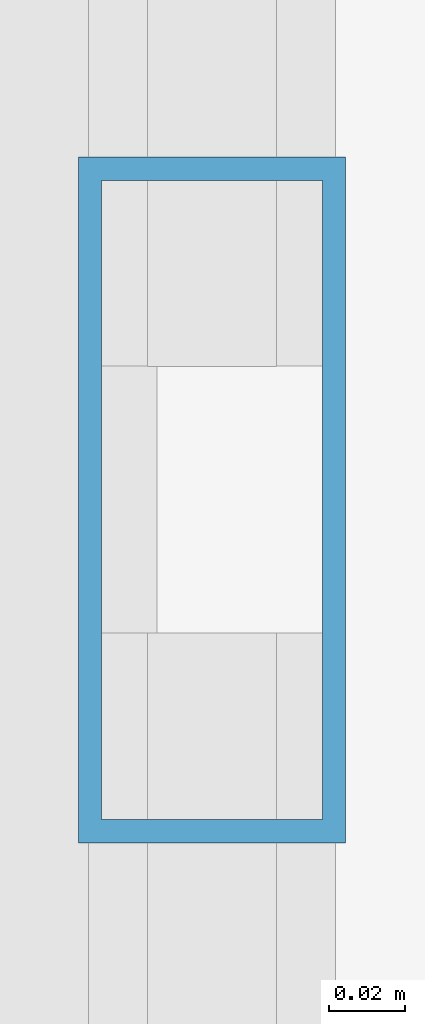
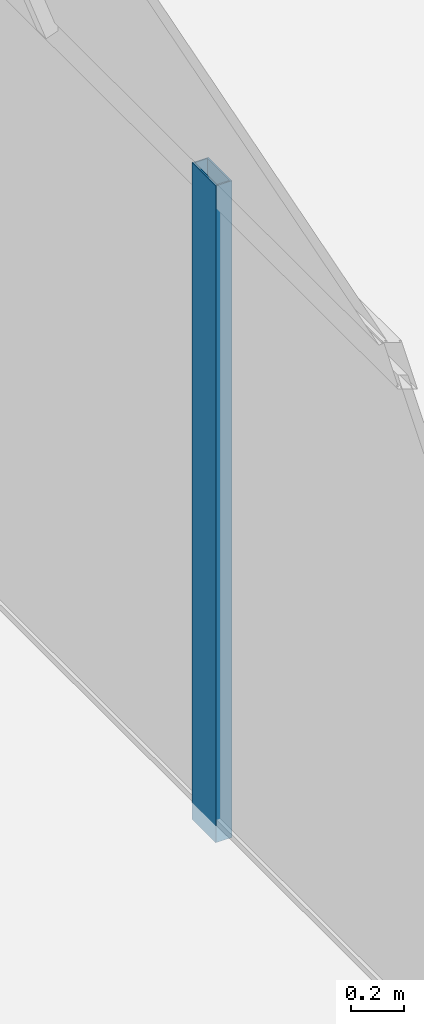
# One storey, part 15 of 32: 1 member, 1 element without a shape of its own.
"""IFC4 building model written with IfcOpenShell, lengths in metres."""

from ifc_helpers import new_model, si_unit, direction, frame, origin, origin_2d, place, context, subcontext, project, spatial, hollow_rectangle, extrude, source, transform, mapped, material, layer, layer_set, material_profile, profile_set, type_object, element, aggregate, save


model = new_model("IFC4")

# Units and contexts
model_context = context("Model", 3, precision=1e-05, world=origin(), true_north=direction((0.0, 1.0)))
body_context = subcontext(model_context, "Body", "Model", "MODEL_VIEW")
ifc_project = project(units=[si_unit("LENGTHUNIT", "METRE"), si_unit("AREAUNIT", "SQUARE_METRE"), si_unit("VOLUMEUNIT", "CUBIC_METRE"), si_unit("PLANEANGLEUNIT", "RADIAN"), si_unit("MASSUNIT", "GRAM", prefix="KILO")], contexts=[model_context])

# Site, building, storey
site_placement = place(None, origin())
site = spatial("IfcSite", under=ifc_project, at=site_placement, CompositionType="ELEMENT")
building_placement = place(site_placement, origin())
building = spatial("IfcBuilding", under=site, at=building_placement, Name="Sumidabori Civic Tower", CompositionType="ELEMENT")
storey_placement = place(building_placement, frame((0.0, 0.0, 298.199951171875)))
storey = spatial("IfcBuildingStorey", under=building, at=storey_placement, Name="RF Roof Crown", CompositionType="ELEMENT", Elevation=298.199951171875)

# Curtain wall, member
ifc_material = material(Name="Anodised Bronze Aluminium AW-6063-T6", Category="aluminium")
ifc_layer = layer(ifc_material, 0.179931640625, Name="Anodised Bronze Aluminium AW-6063-T6")
ifc_layer_set = layer_set([ifc_layer], Name="Anodised Bronze Aluminium AW-6063-T6")
curtain_wall_type = type_object("IfcCurtainWallType", Name="CW-SYS-6", PredefinedType="NOTDEFINED", material=ifc_layer_set)
curtain_wall_placement = place(storey_placement, origin())
curtain_wall = element("IfcCurtainWall", 1, at=curtain_wall_placement, inside=storey, type_object=curtain_wall_type, Name="Glass-Point Crown East Cheek Curtain Wall", PredefinedType="NOTDEFINED")
ifc_material_profile = material_profile(ifc_material, hollow_rectangle(XDim=0.070068359375, YDim=0.179931640625, WallThickness=0.006103515625, at=origin_2d()), Name="ALU MULLION 180x70")
ifc_profile_set = profile_set([ifc_material_profile], Name="Anodised Bronze Aluminium AW-6063-T6")
member_type = type_object("IfcMemberType", Name="CW-MUL-180", PredefinedType="MULLION", material=ifc_profile_set)
shared_shape = source(origin(), body_context, "Body", "SweptSolid", [
    extrude(hollow_rectangle(XDim=0.070068359375, YDim=0.179931640625, WallThickness=0.006103515625, at=origin_2d()), origin(), (0.0, 0.0, 1.0), 3.050048828125),
])
member_placement = place(storey_placement, frame((16.60009765625, -2.35009765625, 0.0), z_axis=(0.0, 0.0, 1.0), x_axis=(-1.0, 0.0, 0.0)))
member = element("IfcMember", 2, at=member_placement, type_object=member_type, Name="CW-6 mullion 2", PredefinedType="MULLION", context=body_context, shape_type="MappedRepresentation", body=[
    mapped(shared_shape, transform((0.0, 0.0, 0.0), x_axis=(1.0, 0.0, 0.0), y_axis=(0.0, 1.0, 0.0), z_axis=(0.0, 0.0, 1.0), scale=1.0)),
])
aggregate(curtain_wall, [member])

save(model, "model.ifc")
